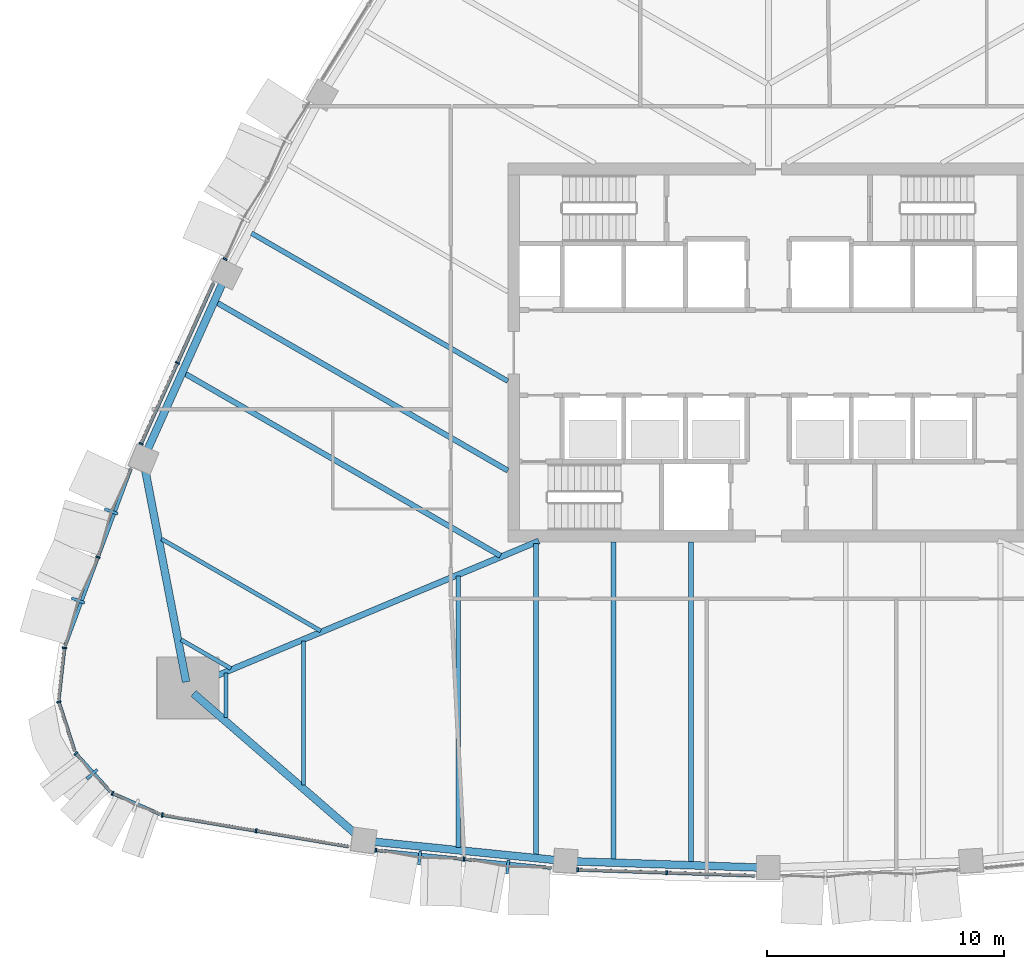
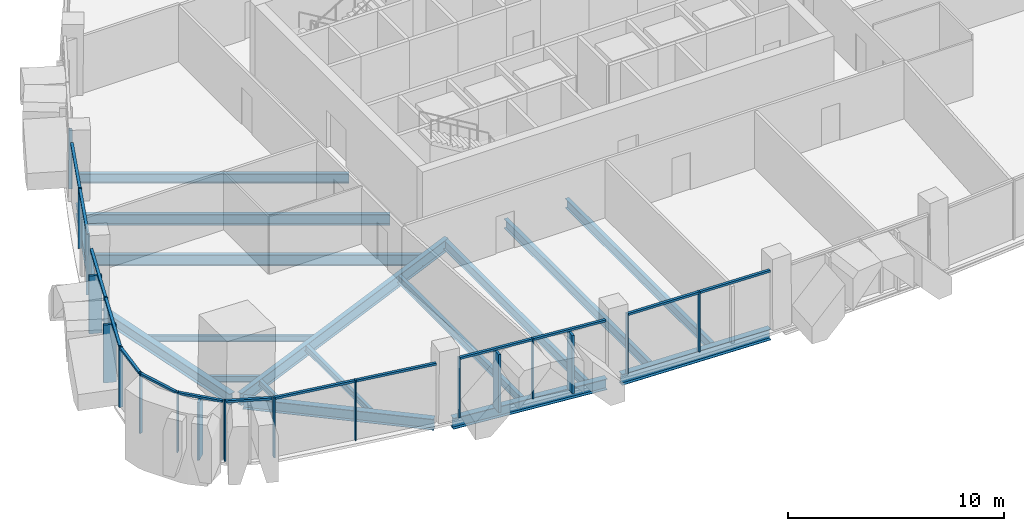
# One storey, part 2 of 17: 33 members, 17 beams, 10 elements without a shape of their own.
"""IFC4 building model written with IfcOpenShell, lengths in metres."""

from ifc_helpers import new_model, si_unit, direction, frame, origin, origin_2d, place, context, subcontext, project, spatial, rectangle, i_section, extrude, material, layer, layer_set, material_profile, profile_set, type_object, element, aggregate, save


model = new_model("IFC4")

# Units and contexts
model_context = context("Model", 3, precision=1e-05, world=origin(), true_north=direction((0.0, 1.0)))
body_context = subcontext(model_context, "Body", "Model", "MODEL_VIEW")
ifc_project = project(units=[si_unit("LENGTHUNIT", "METRE"), si_unit("AREAUNIT", "SQUARE_METRE"), si_unit("VOLUMEUNIT", "CUBIC_METRE"), si_unit("PLANEANGLEUNIT", "RADIAN"), si_unit("MASSUNIT", "GRAM", prefix="KILO")], contexts=[model_context])

# Site, building, storey
site_placement = place(None, origin())
site = spatial("IfcSite", under=ifc_project, at=site_placement, CompositionType="ELEMENT")
building_placement = place(site_placement, origin())
building = spatial("IfcBuilding", under=site, at=building_placement, Name="Sierra Prisma Convention Tower", CompositionType="ELEMENT")
storey_placement = place(building_placement, frame((0.0, 0.0, 145.800048828125)))
storey = spatial("IfcBuildingStorey", under=building, at=storey_placement, Name="L31", CompositionType="ELEMENT", Elevation=145.800048828125)

# Curtain wall, members
ifc_material_1 = material(Name="Aluminium and glass curtain wall", Category="aluminium")
ifc_layer_1 = layer(ifc_material_1, 0.179931640625)
ifc_layer_set_1 = layer_set([ifc_layer_1], Name="CW-2 Faceted crystal curtain wall")
curtain_wall_type_1 = type_object("IfcCurtainWallType", Name="CW-2 Faceted crystal curtain wall", PredefinedType="NOTDEFINED", material=ifc_layer_set_1)
curtain_wall_1_placement = place(storey_placement, origin())
curtain_wall_1 = element("IfcCurtainWall", 1, at=curtain_wall_1_placement, inside=storey, type_object=curtain_wall_type_1, Name="CW-2 S2 L31", PredefinedType="NOTDEFINED")
ifc_material_2 = material(Name="Aluminium 6063-T6 bronze anodised", Category="aluminium")
ifc_material_profile_1 = material_profile(ifc_material_2, rectangle(XDim=0.1201171875, YDim=0.60009765625, at=origin_2d()), Name="ALU RIDGE BLADE 120x600")
ifc_profile_set_1 = profile_set([ifc_material_profile_1], Name="Aluminium 6063-T6 bronze anodised")
member_type_1 = type_object("IfcMemberType", Name="CW hip bronze", PredefinedType="MULLION", material=ifc_profile_set_1)
member_1_placement = place(storey_placement, frame((-14.724609375, -21.344482421875, 0.0), z_axis=(0.0, 0.0, 1.0), x_axis=(0.99493521819, -0.100518215286, 0.0)))
member_1 = element("IfcMember", 2, at=member_1_placement, type_object=member_type_1, Name="CW-2 ridge S2.1", PredefinedType="MULLION", context=body_context, shape_type="SweptSolid", body=[
    extrude(rectangle(XDim=0.1201171875, YDim=0.60009765625, at=origin_2d()), origin(), (0.0, 0.0, 1.0), 3.280029296875),
])
member_2_placement = place(storey_placement, frame((-11.001953125, -21.720458984375, 0.0), z_axis=(0.0, 0.0, 1.0), x_axis=(0.99493521819, -0.100518215286, 0.0)))
member_2 = element("IfcMember", 3, at=member_2_placement, type_object=member_type_1, Name="CW-2 ridge S2.2", PredefinedType="MULLION", context=body_context, shape_type="SweptSolid", body=[
    extrude(rectangle(XDim=0.1201171875, YDim=0.60009765625, at=origin_2d()), origin(), (0.0, 0.0, 1.0), 3.280029296875),
])

curtain_wall_2_placement = place(storey_placement, origin())
curtain_wall_2 = element("IfcCurtainWall", 4, at=curtain_wall_2_placement, inside=storey, type_object=curtain_wall_type_1, Name="CW-2 NW6 L31", PredefinedType="NOTDEFINED")
member_3_placement = place(storey_placement, frame((-27.752197265625, -6.70263671875, 0.0), z_axis=(0.0, 0.0, 1.0), x_axis=(-0.348326317722, -0.937373338848, 0.0)))
member_3 = element("IfcMember", 5, at=member_3_placement, type_object=member_type_1, Name="CW-2 ridge NW6.1", PredefinedType="MULLION", context=body_context, shape_type="SweptSolid", body=[
    extrude(rectangle(XDim=0.1201171875, YDim=0.60009765625, at=origin_2d()), origin(), (0.0, 0.0, 1.0), 3.280029296875),
])
member_4_placement = place(storey_placement, frame((-29.150390625, -10.465576171875, 0.0), z_axis=(0.0, 0.0, 1.0), x_axis=(-0.348326317722, -0.937373338848, 0.0)))
member_4 = element("IfcMember", 6, at=member_4_placement, type_object=member_type_1, Name="CW-2 ridge NW6.2", PredefinedType="MULLION", context=body_context, shape_type="SweptSolid", body=[
    extrude(rectangle(XDim=0.1201171875, YDim=0.60009765625, at=origin_2d()), origin(), (0.0, 0.0, 1.0), 3.280029296875),
])

# Curtain wall, member
curtain_wall_3_placement = place(storey_placement, origin())
curtain_wall_3 = element("IfcCurtainWall", 7, at=curtain_wall_3_placement, inside=storey, type_object=curtain_wall_type_1, Name="CW-2 SW3 L31", PredefinedType="NOTDEFINED")
member_5_placement = place(storey_placement, frame((-28.55908203125, -17.803955078125, 0.0), z_axis=(0.0, 0.0, 1.0), x_axis=(0.670627238013, -0.741794518472, 0.0)))
member_5 = element("IfcMember", 8, at=member_5_placement, type_object=member_type_1, Name="CW-2 ridge SW3.1", PredefinedType="MULLION", context=body_context, shape_type="SweptSolid", body=[
    extrude(rectangle(XDim=0.1201171875, YDim=0.60009765625, at=origin_2d()), origin(), (0.0, 0.0, 1.0), 3.280029296875),
])

# Curtain wall, members
ifc_material_3 = material(Name="Aluminium and glass curtain wall", Category="aluminium")
ifc_layer_2 = layer(ifc_material_3, 0.179931640625)
ifc_layer_set_2 = layer_set([ifc_layer_2], Name="CW-1 Plain shaft curtain wall")
curtain_wall_type_2 = type_object("IfcCurtainWallType", Name="CW-1 Plain shaft curtain wall", PredefinedType="NOTDEFINED", material=ifc_layer_set_2)
curtain_wall_4_placement = place(storey_placement, origin())
curtain_wall_4 = element("IfcCurtainWall", 9, at=curtain_wall_4_placement, inside=storey, type_object=curtain_wall_type_2, Name="CW-1 S1 L31", PredefinedType="NOTDEFINED")
ifc_material_4 = material(Name="Aluminium 6063-T6 bronze anodised", Category="aluminium")
ifc_material_profile_2 = material_profile(ifc_material_4, rectangle(XDim=0.179931640625, YDim=0.070068359375, at=origin_2d()), Name="ALU MULLION 70x180")
ifc_profile_set_2 = profile_set([ifc_material_profile_2], Name="Aluminium 6063-T6 bronze anodised")
member_type_2 = type_object("IfcMemberType", Name="CW mullion bronze", PredefinedType="MULLION", material=ifc_profile_set_2)
member_6_placement = place(storey_placement, frame((-25.591796875, -19.52392578125, 0.0), z_axis=(0.0, 0.0, 1.0), x_axis=(0.16702722947, 0.985952283133, 0.0)))
member_6 = element("IfcMember", 10, at=member_6_placement, type_object=member_type_2, Name="CW-1 mullion S1.1", PredefinedType="MULLION", context=body_context, shape_type="SweptSolid", body=[
    extrude(rectangle(XDim=0.179931640625, YDim=0.070068359375, at=origin_2d()), origin(), (0.0, 0.0, 1.0), 3.39990234375),
])
member_7_placement = place(storey_placement, frame((-21.6337890625, -20.194580078125, 0.0), z_axis=(0.0, 0.0, 1.0), x_axis=(0.16702722947, 0.985952283133, 0.0)))
member_7 = element("IfcMember", 11, at=member_7_placement, type_object=member_type_2, Name="CW-1 mullion S1.2", PredefinedType="MULLION", context=body_context, shape_type="SweptSolid", body=[
    extrude(rectangle(XDim=0.179931640625, YDim=0.070068359375, at=origin_2d()), origin(), (0.0, 0.0, 1.0), 3.39990234375),
])

# Member
member_8_placement = place(storey_placement, frame((-16.571533203125, -21.0126953125, 0.0), z_axis=(0.0, 0.0, 1.0), x_axis=(0.100518215286, 0.99493521819, 0.0)))
member_8 = element("IfcMember", 12, at=member_8_placement, type_object=member_type_2, Name="CW-1 mullion S2.1", PredefinedType="MULLION", context=body_context, shape_type="SweptSolid", body=[
    extrude(rectangle(XDim=0.179931640625, YDim=0.070068359375, at=origin_2d()), origin(), (0.0, 0.0, 1.0), 3.39990234375),
])

member_9_placement = place(storey_placement, frame((-12.848876953125, -21.388671875, 0.0), z_axis=(0.0, 0.0, 1.0), x_axis=(0.100518215286, 0.99493521819, 0.0)))
member_9 = element("IfcMember", 13, at=member_9_placement, type_object=member_type_2, Name="CW-1 mullion S2.2", PredefinedType="MULLION", context=body_context, shape_type="SweptSolid", body=[
    extrude(rectangle(XDim=0.179931640625, YDim=0.070068359375, at=origin_2d()), origin(), (0.0, 0.0, 1.0), 3.39990234375),
])

# Curtain wall, members
curtain_wall_5_placement = place(storey_placement, origin())
curtain_wall_5 = element("IfcCurtainWall", 14, at=curtain_wall_5_placement, inside=storey, type_object=curtain_wall_type_2, Name="CW-1 S3 L31", PredefinedType="NOTDEFINED")
member_10_placement = place(storey_placement, frame((-8.04638671875, -21.8369140625, 0.0), z_axis=(0.0, 0.0, 1.0), x_axis=(0.033556452778, 0.999436823655, 0.0)))
member_10 = element("IfcMember", 15, at=member_10_placement, type_object=member_type_2, Name="CW-1 mullion S3.1", PredefinedType="MULLION", context=body_context, shape_type="SweptSolid", body=[
    extrude(rectangle(XDim=0.179931640625, YDim=0.070068359375, at=origin_2d()), origin(), (0.0, 0.0, 1.0), 3.39990234375),
])
member_11_placement = place(storey_placement, frame((-4.29052734375, -21.963134765625, 0.0), z_axis=(0.0, 0.0, 1.0), x_axis=(0.033556452778, 0.999436823655, 0.0)))
member_11 = element("IfcMember", 16, at=member_11_placement, type_object=member_type_2, Name="CW-1 mullion S3.2", PredefinedType="MULLION", context=body_context, shape_type="SweptSolid", body=[
    extrude(rectangle(XDim=0.179931640625, YDim=0.070068359375, at=origin_2d()), origin(), (0.0, 0.0, 1.0), 3.39990234375),
])

# Curtain wall, member
curtain_wall_6_placement = place(storey_placement, origin())
curtain_wall_6 = element("IfcCurtainWall", 17, at=curtain_wall_6_placement, inside=storey, type_object=curtain_wall_type_1, Name="CW-2 NW4 L31", PredefinedType="NOTDEFINED")
member_12_placement = place(storey_placement, frame((-22.9345703125, 3.9501953125, 0.0), z_axis=(0.0, 0.0, 1.0), x_axis=(0.882315905152, -0.47065767126, 0.0)))
member_12 = element("IfcMember", 18, at=member_12_placement, type_object=member_type_2, Name="CW-1 mullion NW4.3", PredefinedType="MULLION", context=body_context, shape_type="SweptSolid", body=[
    extrude(rectangle(XDim=0.179931640625, YDim=0.070068359375, at=origin_2d()), origin(), (0.0, 0.0, 1.0), 3.39990234375),
])
aggregate(curtain_wall_6, [member_12])

# Curtain wall, members
curtain_wall_7_placement = place(storey_placement, origin())
curtain_wall_7 = element("IfcCurtainWall", 19, at=curtain_wall_7_placement, inside=storey, type_object=curtain_wall_type_2, Name="CW-1 NW5 L31", PredefinedType="NOTDEFINED")
member_13_placement = place(storey_placement, frame((-24.947509765625, -0.43310546875, 0.0), z_axis=(0.0, 0.0, 1.0), x_axis=(0.911898281716, -0.410416281114, 0.0)))
member_13 = element("IfcMember", 20, at=member_13_placement, type_object=member_type_2, Name="CW-1 mullion NW5.2", PredefinedType="MULLION", context=body_context, shape_type="SweptSolid", body=[
    extrude(rectangle(XDim=0.179931640625, YDim=0.070068359375, at=origin_2d()), origin(), (0.0, 0.0, 1.0), 3.39990234375),
])
member_14_placement = place(storey_placement, frame((-26.483154296875, -3.84521484375, 0.0), z_axis=(0.0, 0.0, 1.0), x_axis=(0.911898281716, -0.410416281114, 0.0)))
member_14 = element("IfcMember", 21, at=member_14_placement, type_object=member_type_2, Name="CW-1 mullion NW5.3", PredefinedType="MULLION", context=body_context, shape_type="SweptSolid", body=[
    extrude(rectangle(XDim=0.179931640625, YDim=0.070068359375, at=origin_2d()), origin(), (0.0, 0.0, 1.0), 3.39990234375),
])

# Member
member_15_placement = place(storey_placement, frame((-28.305908203125, -8.63818359375, 0.0), z_axis=(0.0, 0.0, 1.0), x_axis=(0.937373338848, -0.348326317722, 0.0)))
member_15 = element("IfcMember", 22, at=member_15_placement, type_object=member_type_2, Name="CW-1 mullion NW6.2", PredefinedType="MULLION", context=body_context, shape_type="SweptSolid", body=[
    extrude(rectangle(XDim=0.179931640625, YDim=0.070068359375, at=origin_2d()), origin(), (0.0, 0.0, 1.0), 3.39990234375),
])

# Curtain wall, member
curtain_wall_8_placement = place(storey_placement, origin())
curtain_wall_8 = element("IfcCurtainWall", 23, at=curtain_wall_8_placement, inside=storey, type_object=curtain_wall_type_2, Name="CW-1 SW1 L31", PredefinedType="NOTDEFINED")
member_16_placement = place(storey_placement, frame((-29.72021484375, -12.46875, 0.0), z_axis=(0.0, 0.0, 1.0), x_axis=(0.993871606013, -0.110540629463, 0.0)))
member_16 = element("IfcMember", 24, at=member_16_placement, type_object=member_type_2, Name="CW-1 mullion SW1.1", PredefinedType="MULLION", context=body_context, shape_type="SweptSolid", body=[
    extrude(rectangle(XDim=0.179931640625, YDim=0.070068359375, at=origin_2d()), origin(), (0.0, 0.0, 1.0), 3.39990234375),
])

curtain_wall_9_placement = place(storey_placement, origin())
curtain_wall_9 = element("IfcCurtainWall", 25, at=curtain_wall_9_placement, inside=storey, type_object=curtain_wall_type_2, Name="CW-1 SW2 L31", PredefinedType="NOTDEFINED")
member_17_placement = place(storey_placement, frame((-29.958984375, -14.746826171875, 0.0), z_axis=(0.0, 0.0, 1.0), x_axis=(0.951677483825, 0.307099278378, 0.0)))
member_17 = element("IfcMember", 26, at=member_17_placement, type_object=member_type_2, Name="CW-1 mullion SW2.1", PredefinedType="MULLION", context=body_context, shape_type="SweptSolid", body=[
    extrude(rectangle(XDim=0.179931640625, YDim=0.070068359375, at=origin_2d()), origin(), (0.0, 0.0, 1.0), 3.39990234375),
])

# Member
member_18_placement = place(storey_placement, frame((-29.241943359375, -16.92236328125, 0.0), z_axis=(0.0, 0.0, 1.0), x_axis=(0.741794518472, 0.670627238013, 0.0)))
member_18 = element("IfcMember", 27, at=member_18_placement, type_object=member_type_2, Name="CW-1 mullion SW3.1", PredefinedType="MULLION", context=body_context, shape_type="SweptSolid", body=[
    extrude(rectangle(XDim=0.179931640625, YDim=0.070068359375, at=origin_2d()), origin(), (0.0, 0.0, 1.0), 3.39990234375),
])

# Curtain wall, member
curtain_wall_10_placement = place(storey_placement, origin())
curtain_wall_10 = element("IfcCurtainWall", 28, at=curtain_wall_10_placement, inside=storey, type_object=curtain_wall_type_1, Name="CW-2 SW4 L31", PredefinedType="NOTDEFINED")
member_19_placement = place(storey_placement, frame((-27.695068359375, -18.61181640625, 0.0), z_axis=(0.0, 0.0, 1.0), x_axis=(0.401204809741, 0.915988373638, 0.0)))
member_19 = element("IfcMember", 29, at=member_19_placement, type_object=member_type_2, Name="CW-1 mullion SW4.1", PredefinedType="MULLION", context=body_context, shape_type="SweptSolid", body=[
    extrude(rectangle(XDim=0.179931640625, YDim=0.070068359375, at=origin_2d()), origin(), (0.0, 0.0, 1.0), 3.39990234375),
])

# Member
ifc_material_5 = material(Name="Aluminium 6063-T6 bronze anodised", Category="aluminium")
ifc_material_profile_3 = material_profile(ifc_material_5, rectangle(XDim=0.139892578125, YDim=0.1201171875, at=origin_2d()), Name="ALU TRANSOM 120x140")
ifc_profile_set_3 = profile_set([ifc_material_profile_3], Name="Aluminium 6063-T6 bronze anodised")
member_type_3 = type_object("IfcMemberType", Name="CW transom bronze", PredefinedType="USERDEFINED", material=ifc_profile_set_3)
member_20_placement = place(storey_placement, frame((-25.55712890625, -19.52978515625, 3.33984375), z_axis=(0.98594529826, -0.16706845555, 0.0), x_axis=(0.16706845555, 0.98594529826, 0.0)))
member_20 = element("IfcMember", 30, at=member_20_placement, type_object=member_type_3, Name="CW-1 transom S1.1", ObjectType="TRANSOM", PredefinedType="USERDEFINED", context=body_context, shape_type="SweptSolid", body=[
    extrude(rectangle(XDim=0.139892578125, YDim=0.1201171875, at=origin_2d()), origin(), (0.0, 0.0, 1.0), 3.944091796875),
])

member_21_placement = place(storey_placement, frame((-21.599365234375, -20.2001953125, 3.33984375), z_axis=(0.98594702585, -0.167058259952, 0.0), x_axis=(0.167058259952, 0.98594702585, 0.0)))
member_21 = element("IfcMember", 31, at=member_21_placement, type_object=member_type_3, Name="CW-1 transom S1.2", ObjectType="TRANSOM", PredefinedType="USERDEFINED", context=body_context, shape_type="SweptSolid", body=[
    extrude(rectangle(XDim=0.139892578125, YDim=0.1201171875, at=origin_2d()), origin(), (0.0, 0.0, 1.0), 3.9443359375),
])

aggregate(curtain_wall_4, [member_6, member_7, member_20, member_21])

member_22_placement = place(storey_placement, frame((-16.536865234375, -21.01611328125, 3.33984375), z_axis=(0.994933965151, -0.100530617168, 0.0), x_axis=(0.100530617168, 0.994933965151, 0.0)))
member_22 = element("IfcMember", 32, at=member_22_placement, type_object=member_type_3, Name="CW-1 transom S2.1", ObjectType="TRANSOM", PredefinedType="USERDEFINED", context=body_context, shape_type="SweptSolid", body=[
    extrude(rectangle(XDim=0.139892578125, YDim=0.1201171875, at=origin_2d()), origin(), (0.0, 0.0, 1.0), 3.671875),
])

member_23_placement = place(storey_placement, frame((-12.81396484375, -21.392333984375, 3.33984375), z_axis=(0.994940613287, -0.100464799965, 0.0), x_axis=(0.100464799965, 0.994940613287, 0.0)))
member_23 = element("IfcMember", 33, at=member_23_placement, type_object=member_type_3, Name="CW-1 transom S2.2", ObjectType="TRANSOM", PredefinedType="USERDEFINED", context=body_context, shape_type="SweptSolid", body=[
    extrude(rectangle(XDim=0.139892578125, YDim=0.1201171875, at=origin_2d()), origin(), (0.0, 0.0, 1.0), 3.671875),
])

aggregate(curtain_wall_1, [member_8, member_9, member_22, member_1, member_23, member_2])

member_24_placement = place(storey_placement, frame((-8.01123046875, -21.838134765625, 3.33984375), z_axis=(0.999436573263, -0.033563909561, 0.0), x_axis=(0.033563909561, 0.999436573263, 0.0)))
member_24 = element("IfcMember", 34, at=member_24_placement, type_object=member_type_3, Name="CW-1 transom S3.1", ObjectType="TRANSOM", PredefinedType="USERDEFINED", context=body_context, shape_type="SweptSolid", body=[
    extrude(rectangle(XDim=0.139892578125, YDim=0.1201171875, at=origin_2d()), origin(), (0.0, 0.0, 1.0), 3.68798828125),
])

member_25_placement = place(storey_placement, frame((-4.255615234375, -21.96435546875, 3.33984375), z_axis=(0.999436647833, -0.033561688995, 0.0), x_axis=(0.033561688995, 0.999436647833, 0.0)))
member_25 = element("IfcMember", 35, at=member_25_placement, type_object=member_type_3, Name="CW-1 transom S3.2", ObjectType="TRANSOM", PredefinedType="USERDEFINED", context=body_context, shape_type="SweptSolid", body=[
    extrude(rectangle(XDim=0.139892578125, YDim=0.1201171875, at=origin_2d()), origin(), (0.0, 0.0, 1.0), 3.688232421875),
])

aggregate(curtain_wall_5, [member_10, member_11, member_24, member_25])

member_26_placement = place(storey_placement, frame((-23.42626953125, 2.947265625, 3.33984375), z_axis=(-0.410378500641, -0.911915284559, 0.0), x_axis=(0.911915284559, -0.410378500641, 0.0)))
member_26 = element("IfcMember", 36, at=member_26_placement, type_object=member_type_3, Name="CW-1 transom NW5.1", ObjectType="TRANSOM", PredefinedType="USERDEFINED", context=body_context, shape_type="SweptSolid", body=[
    extrude(rectangle(XDim=0.139892578125, YDim=0.1201171875, at=origin_2d()), origin(), (0.0, 0.0, 1.0), 3.671875),
])

member_27_placement = place(storey_placement, frame((-24.9619140625, -0.46484375, 3.33984375), z_axis=(-0.410433791062, -0.911890400846, 0.0), x_axis=(0.911890400846, -0.410433791062, 0.0)))
member_27 = element("IfcMember", 37, at=member_27_placement, type_object=member_type_3, Name="CW-1 transom NW5.2", ObjectType="TRANSOM", PredefinedType="USERDEFINED", context=body_context, shape_type="SweptSolid", body=[
    extrude(rectangle(XDim=0.139892578125, YDim=0.1201171875, at=origin_2d()), origin(), (0.0, 0.0, 1.0), 3.671875),
])

aggregate(curtain_wall_7, [member_13, member_14, member_26, member_27])

member_28_placement = place(storey_placement, frame((-26.919677734375, -4.908203125, 3.33984375), z_axis=(-0.348354364302, -0.937362916309, 0.0), x_axis=(0.937362916309, -0.348354364302, 0.0)))
member_28 = element("IfcMember", 38, at=member_28_placement, type_object=member_type_3, Name="CW-1 transom NW6.1", ObjectType="TRANSOM", PredefinedType="USERDEFINED", context=body_context, shape_type="SweptSolid", body=[
    extrude(rectangle(XDim=0.139892578125, YDim=0.1201171875, at=origin_2d()), origin(), (0.0, 0.0, 1.0), 3.9443359375),
])

member_29_placement = place(storey_placement, frame((-28.318115234375, -8.671142578125, 3.33984375), z_axis=(-0.348320187294, -0.937375616881, 0.0), x_axis=(0.937375616881, -0.348320187294, 0.0)))
member_29 = element("IfcMember", 39, at=member_29_placement, type_object=member_type_3, Name="CW-1 transom NW6.2", ObjectType="TRANSOM", PredefinedType="USERDEFINED", context=body_context, shape_type="SweptSolid", body=[
    extrude(rectangle(XDim=0.139892578125, YDim=0.1201171875, at=origin_2d()), origin(), (0.0, 0.0, 1.0), 3.944091796875),
])

aggregate(curtain_wall_2, [member_15, member_28, member_3, member_29, member_4])

member_30_placement = place(storey_placement, frame((-29.72412109375, -12.50341796875, 3.33984375), z_axis=(-0.110518613489, -0.993874054432, 0.0), x_axis=(0.993874054432, -0.110518613489, 0.0)))
member_30 = element("IfcMember", 40, at=member_30_placement, type_object=member_type_3, Name="CW-1 transom SW1.1", ObjectType="TRANSOM", PredefinedType="USERDEFINED", context=body_context, shape_type="SweptSolid", body=[
    extrude(rectangle(XDim=0.139892578125, YDim=0.1201171875, at=origin_2d()), origin(), (0.0, 0.0, 1.0), 2.15380859375),
])

aggregate(curtain_wall_8, [member_16, member_30])

member_31_placement = place(storey_placement, frame((-29.9482421875, -14.780029296875, 3.33984375), z_axis=(0.307065704106, -0.95168831734, 0.0), x_axis=(0.95168831734, 0.307065704106, 0.0)))
member_31 = element("IfcMember", 41, at=member_31_placement, type_object=member_type_3, Name="CW-1 transom SW2.1", ObjectType="TRANSOM", PredefinedType="USERDEFINED", context=body_context, shape_type="SweptSolid", body=[
    extrude(rectangle(XDim=0.139892578125, YDim=0.1201171875, at=origin_2d()), origin(), (0.0, 0.0, 1.0), 2.15380859375),
])

aggregate(curtain_wall_9, [member_17, member_31])

member_32_placement = place(storey_placement, frame((-29.218505859375, -16.9482421875, 3.33984375), z_axis=(0.670616451723, -0.74180426979, 0.0), x_axis=(0.74180426979, 0.670616451723, 0.0)))
member_32 = element("IfcMember", 42, at=member_32_placement, type_object=member_type_3, Name="CW-1 transom SW3.1", ObjectType="TRANSOM", PredefinedType="USERDEFINED", context=body_context, shape_type="SweptSolid", body=[
    extrude(rectangle(XDim=0.139892578125, YDim=0.1201171875, at=origin_2d()), origin(), (0.0, 0.0, 1.0), 2.15380859375),
])

aggregate(curtain_wall_3, [member_18, member_32, member_5])

member_33_placement = place(storey_placement, frame((-27.6630859375, -18.6259765625, 3.33984375), z_axis=(0.916008983632, -0.401157751896, 0.0), x_axis=(0.401157751896, 0.916008983632, 0.0)))
member_33 = element("IfcMember", 43, at=member_33_placement, type_object=member_type_3, Name="CW-1 transom SW4.1", ObjectType="TRANSOM", PredefinedType="USERDEFINED", context=body_context, shape_type="SweptSolid", body=[
    extrude(rectangle(XDim=0.139892578125, YDim=0.1201171875, at=origin_2d()), origin(), (0.0, 0.0, 1.0), 2.15380859375),
])

aggregate(curtain_wall_10, [member_19, member_33])

# Beams
ifc_material_6 = material(Name="Steel ASTM A992 Gr 50", Category="steel")
ifc_material_profile_4 = material_profile(ifc_material_6, i_section(OverallWidth=0.172119140625, OverallDepth=0.35791015625, WebThickness=0.0078125, FlangeThickness=0.01318359375, at=origin_2d()), Name="W360x57")
ifc_profile_set_4 = profile_set([ifc_material_profile_4], Name="Steel ASTM A992 Gr 50")
beam_type_1 = type_object("IfcBeamType", Name="Floor joist W360x57", PredefinedType="JOIST", material=ifc_profile_set_4)
beam_1_placement = place(storey_placement, frame((-22.897705078125, -15.417236328125, -0.3291015625), z_axis=(0.0, 1.0, 0.0), x_axis=(-1.0, 0.0, 0.0)))
element("IfcBeam", 44, at=beam_1_placement, inside=storey, type_object=beam_type_1, Name="Floor joist L31 S01", PredefinedType="JOIST", context=body_context, shape_type="SweptSolid", body=[
    extrude(i_section(OverallWidth=0.172119140625, OverallDepth=0.35791015625, WebThickness=0.0078125, FlangeThickness=0.01318359375, at=origin_2d()), origin(), (0.0, 0.0, 1.0), 1.88232421875),
])
beam_2_placement = place(storey_placement, frame((-19.62646484375, -18.25341796875, -0.3291015625), z_axis=(0.0, 1.0, 0.0), x_axis=(-1.0, 0.0, 0.0)))
element("IfcBeam", 45, at=beam_2_placement, inside=storey, type_object=beam_type_1, Name="Floor joist L31 S02", PredefinedType="JOIST", context=body_context, shape_type="SweptSolid", body=[
    extrude(i_section(OverallWidth=0.172119140625, OverallDepth=0.35791015625, WebThickness=0.0078125, FlangeThickness=0.01318359375, at=origin_2d()), origin(), (0.0, 0.0, 1.0), 6.0869140625),
])
beam_3_placement = place(storey_placement, frame((-25.62109375, -7.87060546875, -0.3291015625), z_axis=(0.866030029641, -0.499991987696, 0.0), x_axis=(0.499991987696, 0.866030029641, 0.0)))
element("IfcBeam", 46, at=beam_3_placement, inside=storey, type_object=beam_type_1, Name="Floor joist L31 NW14", PredefinedType="JOIST", context=body_context, shape_type="SweptSolid", body=[
    extrude(i_section(OverallWidth=0.172119140625, OverallDepth=0.35791015625, WebThickness=0.0078125, FlangeThickness=0.01318359375, at=origin_2d()), origin(), (0.0, 0.0, 1.0), 7.762451171875),
])
beam_4_placement = place(storey_placement, frame((-24.800537109375, -12.121337890625, -0.3291015625), z_axis=(0.866006919521, -0.500032014317, 0.0), x_axis=(0.500032014317, 0.866006919521, 0.0)))
element("IfcBeam", 47, at=beam_4_placement, inside=storey, type_object=beam_type_1, Name="Floor joist L31 NW15", PredefinedType="JOIST", context=body_context, shape_type="SweptSolid", body=[
    extrude(i_section(OverallWidth=0.172119140625, OverallDepth=0.35791015625, WebThickness=0.0078125, FlangeThickness=0.01318359375, at=origin_2d()), origin(), (0.0, 0.0, 1.0), 2.434814453125),
])
ifc_material_7 = material(Name="Steel ASTM A992 Gr 50", Category="steel")
ifc_material_profile_5 = material_profile(ifc_material_7, i_section(OverallWidth=0.18994140625, OverallDepth=0.45703125, WebThickness=0.009033203125, FlangeThickness=0.014404296875, at=origin_2d()), Name="W460x74")
ifc_profile_set_5 = profile_set([ifc_material_profile_5], Name="Steel ASTM A992 Gr 50")
beam_type_2 = type_object("IfcBeamType", Name="Floor joist W460x74", PredefinedType="JOIST", material=ifc_profile_set_5)
beam_5_placement = place(storey_placement, frame((-13.08447265625, -20.89990234375, -0.378662109375), z_axis=(0.0, 1.0, 0.0), x_axis=(-1.0, 0.0, 0.0)))
element("IfcBeam", 48, at=beam_5_placement, inside=storey, type_object=beam_type_2, Name="Floor joist L31 S04", PredefinedType="JOIST", context=body_context, shape_type="SweptSolid", body=[
    extrude(i_section(OverallWidth=0.18994140625, OverallDepth=0.45703125, WebThickness=0.009033203125, FlangeThickness=0.014404296875, at=origin_2d()), origin(), (0.0, 0.0, 1.0), 11.470703125),
])
ifc_material_8 = material(Name="Steel ASTM A992 Gr 50", Category="steel")
ifc_material_profile_6 = material_profile(ifc_material_8, i_section(OverallWidth=0.208984375, OverallDepth=0.532958984375, WebThickness=0.01025390625, FlangeThickness=0.015625, at=origin_2d()), Name="W530x92")
ifc_profile_set_6 = profile_set([ifc_material_profile_6], Name="Steel ASTM A992 Gr 50")
beam_type_3 = type_object("IfcBeamType", Name="Floor joist W530x92", PredefinedType="JOIST", material=ifc_profile_set_6)
beam_6_placement = place(storey_placement, frame((-9.813232421875, -21.23046875, -0.41650390625), z_axis=(0.0, 1.0, 0.0), x_axis=(-1.0, 0.0, 0.0)))
element("IfcBeam", 49, at=beam_6_placement, inside=storey, type_object=beam_type_3, Name="Floor joist L31 S05", PredefinedType="JOIST", context=body_context, shape_type="SweptSolid", body=[
    extrude(i_section(OverallWidth=0.208984375, OverallDepth=0.532958984375, WebThickness=0.01025390625, FlangeThickness=0.015625, at=origin_2d()), origin(), (0.0, 0.0, 1.0), 13.169921875),
])
beam_7_placement = place(storey_placement, frame((-6.542236328125, -21.4248046875, -0.41650390625), z_axis=(0.0, 1.0, 0.0), x_axis=(-1.0, 0.0, 0.0)))
element("IfcBeam", 50, at=beam_7_placement, inside=storey, type_object=beam_type_3, Name="Floor joist L31 S06", PredefinedType="JOIST", context=body_context, shape_type="SweptSolid", body=[
    extrude(i_section(OverallWidth=0.208984375, OverallDepth=0.532958984375, WebThickness=0.01025390625, FlangeThickness=0.015625, at=origin_2d()), origin(), (0.0, 0.0, 1.0), 13.4248046875),
])
beam_8_placement = place(storey_placement, frame((-3.27099609375, -21.53466796875, -0.41650390625), z_axis=(0.0, 1.0, 0.0), x_axis=(-1.0, 0.0, 0.0)))
element("IfcBeam", 51, at=beam_8_placement, inside=storey, type_object=beam_type_3, Name="Floor joist L31 S07", PredefinedType="JOIST", context=body_context, shape_type="SweptSolid", body=[
    extrude(i_section(OverallWidth=0.208984375, OverallDepth=0.532958984375, WebThickness=0.01025390625, FlangeThickness=0.015625, at=origin_2d()), origin(), (0.0, 0.0, 1.0), 13.53466796875),
])
beam_9_placement = place(storey_placement, frame((-21.82568359375, 5.046630859375, -0.41650390625), z_axis=(0.866032724435, -0.499987320047, 0.0), x_axis=(0.499987320047, 0.866032724435, 0.0)))
element("IfcBeam", 52, at=beam_9_placement, inside=storey, type_object=beam_type_3, Name="Floor joist L31 NW10", PredefinedType="JOIST", context=body_context, shape_type="SweptSolid", body=[
    extrude(i_section(OverallWidth=0.208984375, OverallDepth=0.532958984375, WebThickness=0.01025390625, FlangeThickness=0.015625, at=origin_2d()), origin(), (0.0, 0.0, 1.0), 12.500244140625),
])
ifc_material_9 = material(Name="Steel ASTM A992 Gr 50", Category="steel")
ifc_material_profile_7 = material_profile(ifc_material_9, i_section(OverallWidth=0.22802734375, OverallDepth=0.60302734375, WebThickness=0.010498046875, FlangeThickness=0.014892578125, at=origin_2d()), Name="W610x101")
ifc_profile_set_7 = profile_set([ifc_material_profile_7], Name="Steel ASTM A992 Gr 50")
beam_type_4 = type_object("IfcBeamType", Name="Floor joist W610x101", PredefinedType="JOIST", material=ifc_profile_set_7)
beam_10_placement = place(storey_placement, frame((-23.292724609375, 2.11669921875, -0.45166015625), z_axis=(0.86602662077, -0.499997892113, 0.0), x_axis=(0.499997892113, 0.86602662077, 0.0)))
element("IfcBeam", 53, at=beam_10_placement, inside=storey, type_object=beam_type_4, Name="Floor joist L31 NW11", PredefinedType="JOIST", context=body_context, shape_type="SweptSolid", body=[
    extrude(i_section(OverallWidth=0.22802734375, OverallDepth=0.60302734375, WebThickness=0.010498046875, FlangeThickness=0.014892578125, at=origin_2d()), origin(), (0.0, 0.0, 1.0), 14.1943359375),
])
beam_11_placement = place(storey_placement, frame((-24.64208984375, -0.88134765625, -0.45166015625), z_axis=(0.866020765707, -0.500008033299, 0.0), x_axis=(0.500008033299, 0.866020765707, 0.0)))
element("IfcBeam", 54, at=beam_11_placement, inside=storey, type_object=beam_type_4, Name="Floor joist L31 NW12", PredefinedType="JOIST", context=body_context, shape_type="SweptSolid", body=[
    extrude(i_section(OverallWidth=0.22802734375, OverallDepth=0.60302734375, WebThickness=0.010498046875, FlangeThickness=0.014892578125, at=origin_2d()), origin(), (0.0, 0.0, 1.0), 15.392333984375),
])
ifc_material_10 = material(Name="Steel ASTM A992 Gr 50", Category="steel")
ifc_material_profile_8 = material_profile(ifc_material_10, i_section(OverallWidth=0.25390625, OverallDepth=0.68408203125, WebThickness=0.012451171875, FlangeThickness=0.018798828125, at=origin_2d()), Name="W690x140")
ifc_profile_set_8 = profile_set([ifc_material_profile_8], Name="Steel ASTM A992 Gr 50")
beam_type_5 = type_object("IfcBeamType", Name="Radial girder W690x140", PredefinedType="BEAM", material=ifc_profile_set_8)
beam_12_placement = place(storey_placement, frame((-24.273193359375, -14.055419921875, -0.491943359375), z_axis=(0.922511202715, 0.385970310859, 0.0), x_axis=(-0.385970310859, 0.922511202715, 0.0)))
element("IfcBeam", 55, at=beam_12_placement, inside=storey, type_object=beam_type_5, Name="Radial girder L31 SW", PredefinedType="BEAM", context=body_context, shape_type="SweptSolid", body=[
    extrude(i_section(OverallWidth=0.25390625, OverallDepth=0.68408203125, WebThickness=0.012451171875, FlangeThickness=0.018798828125, at=origin_2d()), origin(), (0.0, 0.0, 1.0), 15.80908203125),
])
ifc_material_11 = material(Name="Steel ASTM A992 Gr 50", Category="steel")
ifc_material_profile_9 = material_profile(ifc_material_11, i_section(OverallWidth=0.324951171875, OverallDepth=0.615966796875, WebThickness=0.013916015625, FlangeThickness=0.021484375, at=origin_2d()), Name="W610x174")
ifc_profile_set_9 = profile_set([ifc_material_profile_9], Name="Steel ASTM A992 Gr 50")
beam_type_6 = type_object("IfcBeamType", Name="Spandrel beam W610x174", PredefinedType="BEAM", material=ifc_profile_set_9)
beam_13_placement = place(storey_placement, frame((-24.273193359375, -14.3896484375, -0.4580078125), z_axis=(0.755562167984, -0.655076949916, 0.0), x_axis=(0.655076949916, 0.755562167984, 0.0)))
element("IfcBeam", 56, at=beam_13_placement, inside=storey, type_object=beam_type_6, Name="Spandrel L31-01", PredefinedType="BEAM", context=body_context, shape_type="SweptSolid", body=[
    extrude(i_section(OverallWidth=0.324951171875, OverallDepth=0.615966796875, WebThickness=0.013916015625, FlangeThickness=0.021484375, at=origin_2d()), origin(), (0.0, 0.0, 1.0), 9.013916015625),
])
beam_14_placement = place(storey_placement, frame((-16.723388671875, -20.645751953125, -0.4580078125), z_axis=(0.994936463243, -0.10050589092, 0.0), x_axis=(0.10050589092, 0.994936463243, 0.0)))
element("IfcBeam", 57, at=beam_14_placement, inside=storey, type_object=beam_type_6, Name="Spandrel L31-02", PredefinedType="BEAM", context=body_context, shape_type="SweptSolid", body=[
    extrude(i_section(OverallWidth=0.324951171875, OverallDepth=0.615966796875, WebThickness=0.013916015625, FlangeThickness=0.021484375, at=origin_2d()), origin(), (0.0, 0.0, 1.0), 7.814453125),
])
for number, where, z_axis, x_axis, name in (
    (58, (-8.18994140625, -21.482177734375, -0.4580078125), (0.999436867917, -0.033555134457, 0.0), (0.033555134457, 0.999436867917, 0.0), "Spandrel L31-03"),
    (59, (-23.0341796875, 2.9658203125, -0.4580078125), (-0.410412743463, -0.911899873892, 0.0), (0.911899873892, -0.410412743463, 0.0), "Spandrel L31-17"),
):
    element("IfcBeam", number, at=place(storey_placement, frame(where, z_axis=z_axis, x_axis=x_axis)), inside=storey, type_object=beam_type_6, Name=name, PredefinedType="BEAM", context=body_context, shape_type="SweptSolid", body=[
        extrude(i_section(OverallWidth=0.324951171875, OverallDepth=0.615966796875, WebThickness=0.013916015625, FlangeThickness=0.021484375, at=origin_2d()), origin(), (0.0, 0.0, 1.0), 7.814208984375),
    ])
beam_15_placement = place(storey_placement, frame((-26.306884765625, -4.975830078125, -0.4580078125), z_axis=(0.189523501909, -0.981876184773, 0.0), x_axis=(0.981876184773, 0.189523501909, 0.0)))
element("IfcBeam", 60, at=beam_15_placement, inside=storey, type_object=beam_type_6, Name="Spandrel L31-18", PredefinedType="BEAM", context=body_context, shape_type="SweptSolid", body=[
    extrude(i_section(OverallWidth=0.324951171875, OverallDepth=0.615966796875, WebThickness=0.013916015625, FlangeThickness=0.021484375, at=origin_2d()), origin(), (0.0, 0.0, 1.0), 9.09326171875),
])

save(model, "model.ifc")
